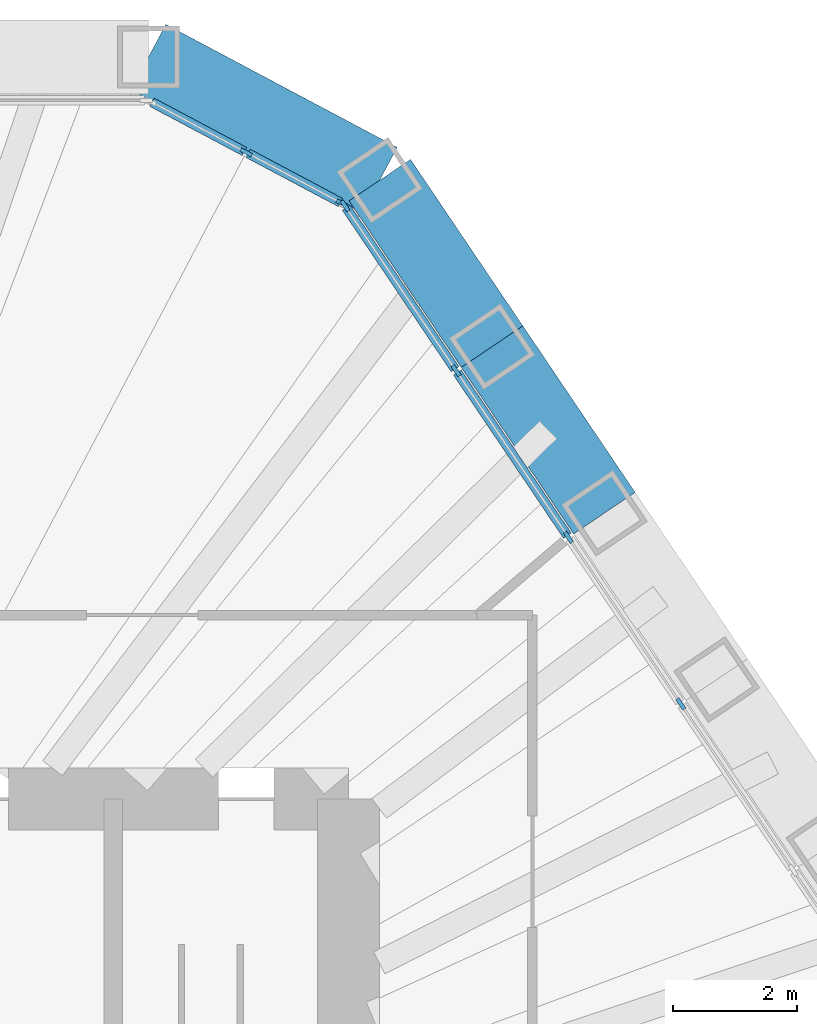
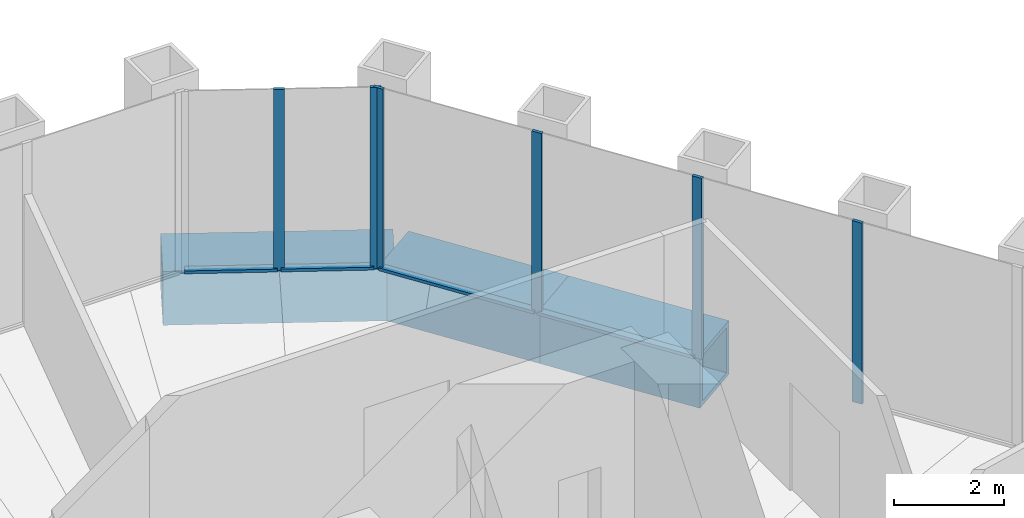
# One storey, part 8 of 19: 13 members, 2 elements without a shape of their own.
"""IFC4 building model written with IfcOpenShell, lengths in metres."""

from ifc_helpers import new_model, si_unit, direction, frame, origin, origin_2d, place, context, subcontext, project, spatial, rectangle, hollow_rectangle, extrude, material, material_profile, profile_set, type_object, element, aggregate, save


model = new_model("IFC4")

# Units and contexts
model_context = context("Model", 3, precision=1e-05, world=origin(), true_north=direction((0.0, 1.0)))
body_context = subcontext(model_context, "Body", "Model", "MODEL_VIEW")
ifc_project = project(units=[si_unit("LENGTHUNIT", "METRE"), si_unit("AREAUNIT", "SQUARE_METRE"), si_unit("VOLUMEUNIT", "CUBIC_METRE"), si_unit("PLANEANGLEUNIT", "RADIAN"), si_unit("MASSUNIT", "GRAM", prefix="KILO")], contexts=[model_context])

# Site, building, storey
site_placement = place(None, origin())
site = spatial("IfcSite", under=ifc_project, at=site_placement, CompositionType="ELEMENT")
building_placement = place(site_placement, origin())
building = spatial("IfcBuilding", under=site, at=building_placement, Name="Qingtian Harvest Tower", CompositionType="ELEMENT")
storey_placement = place(building_placement, frame((0.0, 0.0, 262.0)))
storey = spatial("IfcBuildingStorey", under=building, at=storey_placement, Name="L57", CompositionType="ELEMENT", Elevation=262.0)

# Members
ifc_material_1 = material(Name="Steel SM570MC", Category="steel")
ifc_material_profile_1 = material_profile(ifc_material_1, hollow_rectangle(XDim=1.199951171875, YDim=1.199951171875, WallThickness=0.10009765625, at=origin_2d()), Name="BOX1200x1200x100")
ifc_profile_set_1 = profile_set([ifc_material_profile_1], Name="Steel SM570MC")
member_type_1 = type_object("IfcMemberType", Name="Belt truss chord BC3 BOX1200x1200x100", PredefinedType="CHORD", material=ifc_profile_set_1)
member_1_placement = place(storey_placement, frame((8.765869140625, 21.0, -0.60009765625), z_axis=(0.882948599748, -0.469469669099, 0.0), x_axis=(0.469469669099, 0.882948599748, 0.0)))
element("IfcMember", 1, at=member_1_placement, inside=storey, type_object=member_type_1, Name="Belt chord BC3 NC", PredefinedType="CHORD", context=body_context, shape_type="SweptSolid", body=[
    extrude(hollow_rectangle(XDim=1.199951171875, YDim=1.199951171875, WallThickness=0.10009765625, at=origin_2d()), origin(), (0.0, 0.0, 1.0), 4.23828125),
])
member_2_placement = place(storey_placement, frame((12.508056640625, 19.01025390625, -0.60009765625), z_axis=(0.559184924833, -0.829042954158, 0.0), x_axis=(0.829042954158, 0.559184924833, 0.0)))
element("IfcMember", 2, at=member_2_placement, inside=storey, type_object=member_type_1, Name="Belt chord BC3 NE0", PredefinedType="CHORD", context=body_context, shape_type="SweptSolid", body=[
    extrude(hollow_rectangle(XDim=1.199951171875, YDim=1.199951171875, WallThickness=0.10009765625, at=origin_2d()), origin(), (0.0, 0.0, 1.0), 3.247802734375),
])
member_3_placement = place(storey_placement, frame((14.32421875, 16.317626953125, -0.60009765625), z_axis=(0.559201740147, -0.829031612073, 0.0), x_axis=(0.829031612073, 0.559201740147, 0.0)))
element("IfcMember", 3, at=member_3_placement, inside=storey, type_object=member_type_1, Name="Belt chord BC3 NE1", PredefinedType="CHORD", context=body_context, shape_type="SweptSolid", body=[
    extrude(hollow_rectangle(XDim=1.199951171875, YDim=1.199951171875, WallThickness=0.10009765625, at=origin_2d()), origin(), (0.0, 0.0, 1.0), 3.248291015625),
])

# Curtain wall, members
ifc_material_2 = material(Name="Bronze-anodised aluminium curtain wall", Category="aluminium")
curtain_wall_type = type_object("IfcCurtainWallType", Name="Curtain wall CW3 sky lobby", PredefinedType="USERDEFINED", material=ifc_material_2)
curtain_wall_1_placement = place(storey_placement, origin())
curtain_wall_1 = element("IfcCurtainWall", 4, at=curtain_wall_1_placement, inside=storey, type_object=curtain_wall_type, Name="Curtain wall CW3 L57 NC", ObjectType="RECESSED CURTAIN WALL", PredefinedType="USERDEFINED")
ifc_material_3 = material(Name="Bronze-anodised aluminium mullion", Category="aluminium")
ifc_material_profile_2 = material_profile(ifc_material_3, rectangle(XDim=0.06494140625, YDim=0.199951171875, at=origin_2d()), Name="AL 65x200")
ifc_profile_set_2 = profile_set([ifc_material_profile_2], Name="Bronze-anodised aluminium mullion")
member_type_2 = type_object("IfcMemberType", Name="Mullion CWM 65x200", PredefinedType="MULLION", material=ifc_profile_set_2)
member_4_placement = place(storey_placement, frame((10.3466796875, 19.45947265625, 0.0), z_axis=(0.0, 0.0, 1.0), x_axis=(0.469471562786, 0.882947592859, 0.0)))
member_4 = element("IfcMember", 5, at=member_4_placement, type_object=member_type_2, Name="CW3 mullion 2", PredefinedType="MULLION", context=body_context, shape_type="SweptSolid", body=[
    extrude(rectangle(XDim=0.06494140625, YDim=0.199951171875, at=origin_2d()), origin(), (0.0, 0.0, 1.0), 4.030029296875),
])
member_5_placement = place(storey_placement, frame((11.89892578125, 18.634033203125, 0.0), z_axis=(0.0, 0.0, 1.0), x_axis=(0.469471562786, 0.882947592859, 0.0)))
member_5 = element("IfcMember", 6, at=member_5_placement, type_object=member_type_2, Name="CW3 mullion 3", PredefinedType="MULLION", context=body_context, shape_type="SweptSolid", body=[
    extrude(rectangle(XDim=0.06494140625, YDim=0.199951171875, at=origin_2d()), origin(), (0.0, 0.0, 1.0), 4.030029296875),
])

curtain_wall_2_placement = place(storey_placement, origin())
curtain_wall_2 = element("IfcCurtainWall", 7, at=curtain_wall_2_placement, inside=storey, type_object=curtain_wall_type, Name="Curtain wall CW3 L57 NE0-5", ObjectType="RECESSED CURTAIN WALL", PredefinedType="USERDEFINED")
member_6_placement = place(storey_placement, frame((11.94580078125, 18.592041015625, 0.0), z_axis=(0.0, 0.0, 1.0), x_axis=(0.829037572555, 0.559192903471, 0.0)))
member_6 = element("IfcMember", 8, at=member_6_placement, type_object=member_type_2, Name="CW3 mullion 1", PredefinedType="MULLION", context=body_context, shape_type="SweptSolid", body=[
    extrude(rectangle(XDim=0.06494140625, YDim=0.199951171875, at=origin_2d()), origin(), (0.0, 0.0, 1.0), 4.030029296875),
])
member_7_placement = place(storey_placement, frame((13.743896484375, 15.926025390625, 0.0), z_axis=(0.0, 0.0, 1.0), x_axis=(0.829037572555, 0.559192903471, 0.0)))
member_7 = element("IfcMember", 9, at=member_7_placement, type_object=member_type_2, Name="CW3 mullion 2", PredefinedType="MULLION", context=body_context, shape_type="SweptSolid", body=[
    extrude(rectangle(XDim=0.06494140625, YDim=0.199951171875, at=origin_2d()), origin(), (0.0, 0.0, 1.0), 4.030029296875),
])
member_8_placement = place(storey_placement, frame((15.56005859375, 13.2333984375, 0.0), z_axis=(0.0, 0.0, 1.0), x_axis=(0.829037572555, 0.559192903471, 0.0)))
member_8 = element("IfcMember", 10, at=member_8_placement, type_object=member_type_2, Name="CW3 mullion 3", PredefinedType="MULLION", context=body_context, shape_type="SweptSolid", body=[
    extrude(rectangle(XDim=0.06494140625, YDim=0.199951171875, at=origin_2d()), origin(), (0.0, 0.0, 1.0), 4.030029296875),
])
member_9_placement = place(storey_placement, frame((17.37646484375, 10.540771484375, 0.0), z_axis=(0.0, 0.0, 1.0), x_axis=(0.829037572555, 0.559192903471, 0.0)))
member_9 = element("IfcMember", 11, at=member_9_placement, type_object=member_type_2, Name="CW3 mullion 4", PredefinedType="MULLION", context=body_context, shape_type="SweptSolid", body=[
    extrude(rectangle(XDim=0.06494140625, YDim=0.199951171875, at=origin_2d()), origin(), (0.0, 0.0, 1.0), 4.030029296875),
])

# Member
ifc_material_4 = material(Name="Bronze-anodised aluminium transom", Category="aluminium")
ifc_material_profile_3 = material_profile(ifc_material_4, rectangle(XDim=0.14990234375, YDim=0.06494140625, at=origin_2d()), Name="AL 65x150")
ifc_profile_set_3 = profile_set([ifc_material_profile_3], Name="Bronze-anodised aluminium transom")
member_type_3 = type_object("IfcMemberType", Name="Transom CWT 65x150", PredefinedType="USERDEFINED", material=ifc_profile_set_3)
member_10_placement = place(storey_placement, frame((8.8232421875, 20.26953125, 0.032470703125), z_axis=(0.882927080927, -0.469510138086, 0.0), x_axis=(0.469510138086, 0.882927080927, 0.0)))
member_10 = element("IfcMember", 12, at=member_10_placement, type_object=member_type_3, Name="CW3 transom 1.1", ObjectType="TRANSOM", PredefinedType="USERDEFINED", context=body_context, shape_type="SweptSolid", body=[
    extrude(rectangle(XDim=0.14990234375, YDim=0.06494140625, at=origin_2d()), origin(), (0.0, 0.0, 1.0), 1.693115234375),
])

member_11_placement = place(storey_placement, frame((10.37548828125, 19.444091796875, 0.032470703125), z_axis=(0.882986854304, -0.469397715297, 0.0), x_axis=(0.469397715297, 0.882986854304, 0.0)))
member_11 = element("IfcMember", 13, at=member_11_placement, type_object=member_type_3, Name="CW3 transom 2.1", ObjectType="TRANSOM", PredefinedType="USERDEFINED", context=body_context, shape_type="SweptSolid", body=[
    extrude(rectangle(XDim=0.14990234375, YDim=0.06494140625, at=origin_2d()), origin(), (0.0, 0.0, 1.0), 1.69287109375),
])

aggregate(curtain_wall_1, [member_4, member_5, member_10, member_11])

member_12_placement = place(storey_placement, frame((11.9638671875, 18.56494140625, 0.032470703125), z_axis=(0.559251907839, -0.828997770551, 0.0), x_axis=(0.828997770551, 0.559251907839, 0.0)))
member_12 = element("IfcMember", 14, at=member_12_placement, type_object=member_type_3, Name="CW3 transom 1.1", ObjectType="TRANSOM", PredefinedType="USERDEFINED", context=body_context, shape_type="SweptSolid", body=[
    extrude(rectangle(XDim=0.14990234375, YDim=0.06494140625, at=origin_2d()), origin(), (0.0, 0.0, 1.0), 3.150634765625),
])

member_13_placement = place(storey_placement, frame((13.761962890625, 15.899169921875, 0.032470703125), z_axis=(0.55920542009, -0.829029129852, 0.0), x_axis=(0.829029129852, 0.55920542009, 0.0)))
member_13 = element("IfcMember", 15, at=member_13_placement, type_object=member_type_3, Name="CW3 transom 2.1", ObjectType="TRANSOM", PredefinedType="USERDEFINED", context=body_context, shape_type="SweptSolid", body=[
    extrude(rectangle(XDim=0.14990234375, YDim=0.06494140625, at=origin_2d()), origin(), (0.0, 0.0, 1.0), 3.18310546875),
])

aggregate(curtain_wall_2, [member_6, member_7, member_8, member_9, member_12, member_13])

save(model, "model.ifc")
